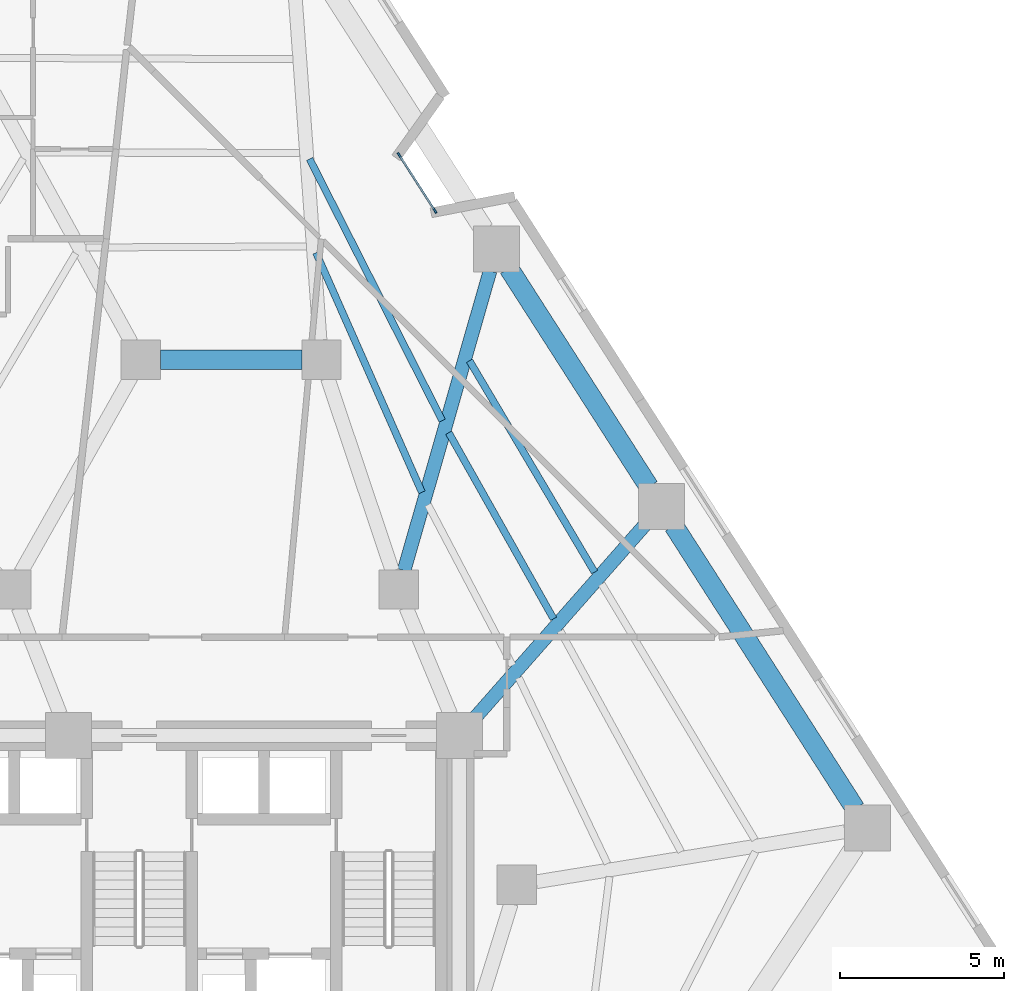
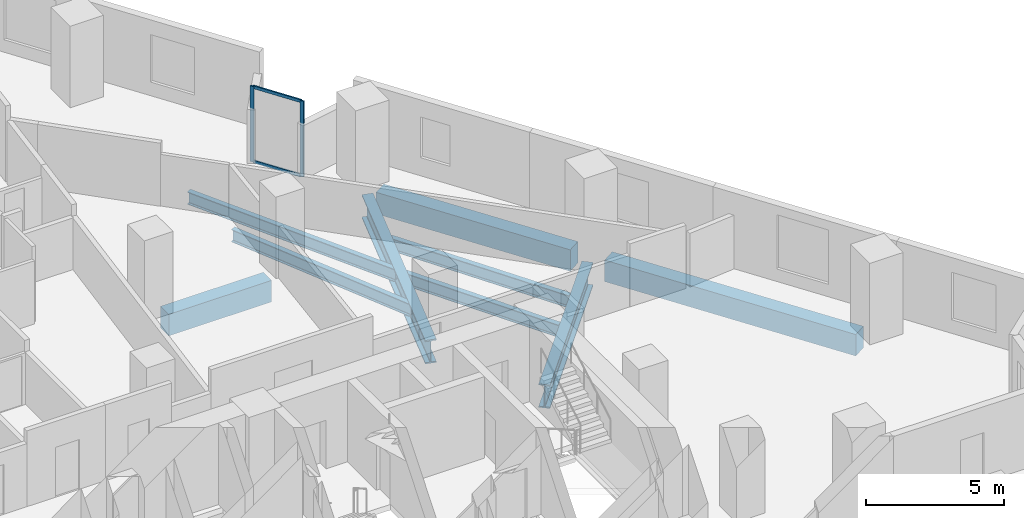
# One storey, part 4 of 13: 9 beams, 4 members, 1 element without a shape of its own.
"""IFC4 building model written with IfcOpenShell, lengths in metres."""

import ifcopenshell
import ifcopenshell.guid

model = None  # the IFC model being written
_history = None  # IfcOwnerHistory: only IFC2X3 demands one
_inside = {}  # id of a spatial element -> (the spatial element, [elements in it])
_under = {}  # id of a project, library or spatial element -> (it, [spatial elements below it])
_declared = {}  # id of a project -> (the project, [libraries it declares])
_typed = {}  # id of a type object -> (the type object, [elements of that type])
_made_of = {}  # id of a material, layer set ... -> (it, [elements and type objects made of it])


def new_model(schema):
    """Start an empty IFC model of exactly this schema.

    Asked for "IFC4X3", IfcOpenShell would pick the latest addendum, in which some entities
    have other attributes; the version numbers below select the first issue.
    IFC2X3 requires an IfcOwnerHistory on every rooted entity: one is made here for all.
    """
    global model, _history
    if schema == "IFC4X3":
        model = ifcopenshell.file(schema_version=(4, 3, 0, 0))
    else:
        model = ifcopenshell.file(schema=schema)
    _inside.clear()
    _under.clear()
    _declared.clear()
    _typed.clear()
    _made_of.clear()
    _history = None
    if model.schema == "IFC2X3":
        org = make("IfcOrganization", Name="unknown")
        user = make(
            "IfcPersonAndOrganization",
            ThePerson=make("IfcPerson", FamilyName="unknown"),
            TheOrganization=org,
        )
        app = make(
            "IfcApplication",
            ApplicationDeveloper=org,
            Version="unknown",
            ApplicationFullName="unknown",
            ApplicationIdentifier="unknown",
        )
        _history = make(
            "IfcOwnerHistory",
            OwningUser=user,
            OwningApplication=app,
            ChangeAction="ADDED",
            CreationDate=0,
        )
    return model


def make(cls, **values):
    """One entity of the class cls with the attributes given. An attribute that is None is left unset."""
    return model.create_entity(
        cls, **{name: value for name, value in values.items() if value is not None}
    )


def rooted(cls, **values):
    """An entity with a GlobalId (a new one), such as an element, a storey or a relation."""
    return make(cls, GlobalId=ifcopenshell.guid.new(), OwnerHistory=_history, **values)


def si_unit(unit_type, name, prefix=None):
    """IfcSIUnit, for example si_unit("LENGTHUNIT", "METRE", prefix="MILLI")."""
    return make("IfcSIUnit", UnitType=unit_type, Prefix=prefix, Name=name)


def assignment(units):
    """IfcUnitAssignment: the units of a project."""
    return None if units is None else make("IfcUnitAssignment", Units=units)


def point(xyz):
    """IfcCartesianPoint."""
    return None if xyz is None else make("IfcCartesianPoint", Coordinates=xyz)


def direction(xyz):
    """IfcDirection."""
    return None if xyz is None else make("IfcDirection", DirectionRatios=xyz)


def frame(location, z_axis=None, x_axis=None):
    """IfcAxis2Placement3D, a coordinate frame: its origin and axes. An axis left out is left unset."""
    return make(
        "IfcAxis2Placement3D",
        Location=point(location),
        Axis=direction(z_axis),
        RefDirection=direction(x_axis),
    )


def frame_2d(location, x_axis=None):
    """IfcAxis2Placement2D, a coordinate frame in the plane: its origin and x axis."""
    return make(
        "IfcAxis2Placement2D", Location=point(location), RefDirection=direction(x_axis)
    )


def origin():
    """The frame at (0, 0, 0) with its axes left unset."""
    return frame((0.0, 0.0, 0.0))


def origin_2d():
    """The frame at (0, 0) in the plane with its x axis left unset."""
    return frame_2d((0.0, 0.0))


def place(relative_to, where):
    """IfcLocalPlacement: puts the frame where relative to a parent placement (None: the world)."""
    return make(
        "IfcLocalPlacement", PlacementRelTo=relative_to, RelativePlacement=where
    )


def context(
    kind, dimensions, precision=None, world=None, true_north=None, identifier=None
):
    """IfcGeometricRepresentationContext, for example the 3D "Model" context."""
    return make(
        "IfcGeometricRepresentationContext",
        ContextIdentifier=identifier,
        ContextType=kind,
        CoordinateSpaceDimension=dimensions,
        Precision=precision,
        WorldCoordinateSystem=world,
        TrueNorth=true_north,
    )


def subcontext(parent, identifier, kind, view, scale=None):
    """IfcGeometricRepresentationSubContext, for example "Body" below "Model"."""
    return make(
        "IfcGeometricRepresentationSubContext",
        ContextIdentifier=identifier,
        ContextType=kind,
        ParentContext=parent,
        TargetScale=scale,
        TargetView=view,
    )


def project(units=None, contexts=None):
    """IfcProject with its units and contexts."""
    return rooted(
        "IfcProject",
        Name="project",
        RepresentationContexts=contexts,
        UnitsInContext=assignment(units),
    )


def spatial(cls, under=None, at=None, **own):
    """A site, building, storey or space (cls), placed at a placement, below another one or the project."""
    s = rooted(cls, ObjectPlacement=at, **own)
    if under is not None:
        _under.setdefault(under.id(), (under, []))[1].append(s)
    return s


def profile(cls, at=None, kind="AREA", **sizes):
    """A parametric profile (cls). Its sizes go by their IFC names, for example OverallWidth=200.0."""
    return make(cls, ProfileType=kind, Position=at, **sizes)


def rectangle(**sizes):
    """IfcRectangleProfileDef."""
    return profile("IfcRectangleProfileDef", **sizes)


def i_section(**sizes):
    """IfcIShapeProfileDef."""
    return profile("IfcIShapeProfileDef", **sizes)


def extrude(swept, where, along, depth):
    """IfcExtrudedAreaSolid: the profile swept, set in the frame where, extruded along a direction by depth."""
    return make(
        "IfcExtrudedAreaSolid",
        SweptArea=swept,
        Position=where,
        ExtrudedDirection=direction(along),
        Depth=depth,
    )


def shape(context_of_items, identifier, shape_type, items):
    """IfcShapeRepresentation: the items that make up one representation, for example the "Body"."""
    return make(
        "IfcShapeRepresentation",
        ContextOfItems=context_of_items,
        RepresentationIdentifier=identifier,
        RepresentationType=shape_type,
        Items=items,
    )


def material(Name=None, Category=None):
    """IfcMaterial."""
    return make("IfcMaterial", Name=Name, Category=Category)


def layer(
    of_material, thickness, ventilated=None, Name=None, Category=None, Priority=None
):
    """IfcMaterialLayer: one layer of a wall or slab, of a material (None: an air gap)."""
    return make(
        "IfcMaterialLayer",
        Material=of_material,
        LayerThickness=thickness,
        IsVentilated=ventilated,
        Name=Name,
        Category=Category,
        Priority=Priority,
    )


def layer_set(layers, Name=None):
    """IfcMaterialLayerSet."""
    return make("IfcMaterialLayerSet", MaterialLayers=layers, LayerSetName=Name)


def material_profile(
    of_material, cross_section, Name=None, Category=None, Priority=None
):
    """IfcMaterialProfile: a cross section and its material."""
    return make(
        "IfcMaterialProfile",
        Name=Name,
        Material=of_material,
        Profile=cross_section,
        Priority=Priority,
        Category=Category,
    )


def profile_set(profiles, Name=None, composite=None):
    """IfcMaterialProfileSet."""
    return make(
        "IfcMaterialProfileSet",
        Name=Name,
        MaterialProfiles=profiles,
        CompositeProfile=composite,
    )


def made_of(thing, what):
    """Note that an element or type object is made of a material, layer set ...; save() writes the relation."""
    if what is not None:
        _made_of.setdefault(what.id(), (what, []))[1].append(thing)
    return thing


def type_object(cls, material=None, **own):
    """A type object (cls), such as IfcWallType, which elements share."""
    return made_of(rooted(cls, **own), material)


def element(
    cls,
    number,
    at=None,
    inside=None,
    cuts=None,
    type_object=None,
    material=None,
    context=None,
    identifier="Body",
    shape_type=None,
    held_by="IfcProductDefinitionShape",
    body=None,
    shapes=None,
    **own,
):
    """One element of the class cls, such as IfcWall. Its Tag is "e" and its number.

    at: its placement. inside: the storey or other place that contains it. cuts: it is an
    opening in that element (IfcRelVoidsElement). A single representation is given by context,
    identifier, shape_type and body (its items); several are given by shapes. held_by: the class
    of the entity that holds the representations. save() writes the other relations.
    """
    e = rooted(cls, Tag="e%d" % number, ObjectPlacement=at, **own)
    if body is not None:
        shapes = [shape(context, identifier, shape_type, body)]
    if shapes is not None:
        e.Representation = make(held_by, Representations=shapes)
    if inside is not None:
        _inside.setdefault(inside.id(), (inside, []))[1].append(e)
    if cuts is not None:
        rooted(
            "IfcRelVoidsElement", RelatingBuildingElement=cuts, RelatedOpeningElement=e
        )
    if type_object is not None:
        _typed.setdefault(type_object.id(), (type_object, []))[1].append(e)
    return made_of(e, material)


def aggregate(whole, parts):
    """IfcRelAggregates: a whole, such as a stair, and the parts it consists of."""
    return rooted("IfcRelAggregates", RelatingObject=whole, RelatedObjects=parts)


def save(model, path):
    """Write the relations noted so far, then the file.

    IfcRelAggregates (storeys below a building ...), IfcRelContainedInSpatialStructure (elements
    in a storey), IfcRelDefinesByType, IfcRelAssociatesMaterial and IfcRelDeclares: one each for
    every whole, place, type object, material and project.
    """
    for whole, parts in _under.values():
        aggregate(whole, parts)
    for where, things in _inside.values():
        rooted(
            "IfcRelContainedInSpatialStructure",
            RelatedElements=things,
            RelatingStructure=where,
        )
    for kind, things in _typed.values():
        rooted("IfcRelDefinesByType", RelatedObjects=things, RelatingType=kind)
    for what, things in _made_of.values():
        rooted("IfcRelAssociatesMaterial", RelatedObjects=things, RelatingMaterial=what)
    for by, libraries in _declared.values():
        rooted("IfcRelDeclares", RelatingContext=by, RelatedDefinitions=libraries)
    model.write(path)


model = new_model("IFC4")

# Units and contexts
model_context = context("Model", 3, precision=1e-05, world=origin(), true_north=direction((0.0, 1.0)))
body_context = subcontext(model_context, "Body", "Model", "MODEL_VIEW")
ifc_project = project(units=[si_unit("LENGTHUNIT", "METRE"), si_unit("AREAUNIT", "SQUARE_METRE"), si_unit("VOLUMEUNIT", "CUBIC_METRE"), si_unit("PLANEANGLEUNIT", "RADIAN"), si_unit("MASSUNIT", "GRAM", prefix="KILO")], contexts=[model_context])

# Site, building, storey
site_placement = place(None, origin())
site = spatial("IfcSite", under=ifc_project, at=site_placement, CompositionType="ELEMENT")
building_placement = place(site_placement, origin())
building = spatial("IfcBuilding", under=site, at=building_placement, Name="Almagre Mirador Tower", CompositionType="ELEMENT")
storey_placement = place(building_placement, frame((0.0, 0.0, 42.60009765625)))
storey = spatial("IfcBuildingStorey", under=building, at=storey_placement, Name="L09", CompositionType="ELEMENT", Elevation=42.60009765625)

# Beams
ifc_material_1 = material(Name="Steel ASTM A992 Grade 50", Category="steel")
ifc_material_profile_1 = material_profile(ifc_material_1, i_section(OverallWidth=0.214111328125, OverallDepth=0.549072265625, WebThickness=0.0146484375, FlangeThickness=0.023681640625, FilletRadius=0.01806640625, at=origin_2d()), Name="W21X93")
ifc_profile_set_1 = profile_set([ifc_material_profile_1], Name="Steel ASTM A992 Grade 50")
beam_type_1 = type_object("IfcBeamType", Name="BM-JST-W21X93", PredefinedType="JOIST", material=ifc_profile_set_1)
beam_1_placement = place(storey_placement, frame((51.169189453125, 19.72705078125, -0.524658203125), z_axis=(-0.509385502228, 0.860538441977, 0.0), x_axis=(-0.860538441977, -0.509385502228, 0.0)))
element("IfcBeam", 1, at=beam_1_placement, inside=storey, type_object=beam_type_1, Name="L09 secondary floor joist PC06-PC07.1", PredefinedType="JOIST", context=body_context, shape_type="SweptSolid", body=[
    extrude(i_section(OverallWidth=0.214111328125, OverallDepth=0.549072265625, WebThickness=0.0146484375, FlangeThickness=0.023681640625, FilletRadius=0.01806640625, at=origin_2d()), origin(), (0.0, 0.0, 1.0), 7.481689453125),
])
beam_2_placement = place(storey_placement, frame((49.918701171875, 18.305419921875, -0.524658203125), z_axis=(-0.490831296071, 0.871254634879, 0.0), x_axis=(-0.871254634879, -0.490831296071, 0.0)))
element("IfcBeam", 2, at=beam_2_placement, inside=storey, type_object=beam_type_1, Name="L09 secondary floor joist PC06-PC07.2", PredefinedType="JOIST", context=body_context, shape_type="SweptSolid", body=[
    extrude(i_section(OverallWidth=0.214111328125, OverallDepth=0.549072265625, WebThickness=0.0146484375, FlangeThickness=0.023681640625, FilletRadius=0.01806640625, at=origin_2d()), origin(), (0.0, 0.0, 1.0), 6.505615234375),
])
beam_3_placement = place(storey_placement, frame((46.528076171875, 24.343017578125, -0.524658203125), z_axis=(-0.45203843344, 0.89199846115, 0.0), x_axis=(-0.89199846115, -0.45203843344, 0.0)))
element("IfcBeam", 3, at=beam_3_placement, inside=storey, type_object=beam_type_1, Name="L09 secondary floor joist PC07-PC08.2", PredefinedType="JOIST", context=body_context, shape_type="SweptSolid", body=[
    extrude(i_section(OverallWidth=0.214111328125, OverallDepth=0.549072265625, WebThickness=0.0146484375, FlangeThickness=0.023681640625, FilletRadius=0.01806640625, at=origin_2d()), origin(), (0.0, 0.0, 1.0), 8.93408203125),
])
beam_4_placement = place(storey_placement, frame((45.90966796875, 22.157958984375, -0.524658203125), z_axis=(-0.404053712835, 0.914735260687, 0.0), x_axis=(-0.914735260687, -0.404053712835, 0.0)))
element("IfcBeam", 4, at=beam_4_placement, inside=storey, type_object=beam_type_1, Name="L09 secondary floor joist PC07-PC08.3", PredefinedType="JOIST", context=body_context, shape_type="SweptSolid", body=[
    extrude(i_section(OverallWidth=0.214111328125, OverallDepth=0.549072265625, WebThickness=0.0146484375, FlangeThickness=0.023681640625, FilletRadius=0.01806640625, at=origin_2d()), origin(), (0.0, 0.0, 1.0), 7.9794921875),
])
ifc_material_2 = material(Name="Concrete C60/75", Category="concrete")
ifc_material_profile_2 = material_profile(ifc_material_2, rectangle(XDim=0.60009765625, YDim=0.949951171875, at=origin_2d()), Name="RC600X950")
ifc_profile_set_2 = profile_set([ifc_material_profile_2], Name="Concrete C60/75")
beam_type_2 = type_object("IfcBeamType", Name="BM-LIN-RC600X950", PredefinedType="LINTEL", material=ifc_profile_set_2)
beam_5_placement = place(storey_placement, frame((37.949951171875, 26.199951171875, -0.72509765625), z_axis=(1.0, 0.0, 0.0), x_axis=(0.0, 1.0, 0.0)))
element("IfcBeam", 5, at=beam_5_placement, inside=storey, type_object=beam_type_2, Name="L09 coupled header lintel LN-01", PredefinedType="LINTEL", context=body_context, shape_type="SweptSolid", body=[
    extrude(rectangle(XDim=0.60009765625, YDim=0.949951171875, at=origin_2d()), origin(), (0.0, 0.0, 1.0), 4.300048828125),
])
ifc_material_3 = material(Name="Precast concrete C50/60", Category="concrete")
ifc_material_profile_3 = material_profile(ifc_material_3, rectangle(XDim=0.60009765625, YDim=0.949951171875, at=origin_2d()), Name="RC600X950")
ifc_profile_set_3 = profile_set([ifc_material_profile_3], Name="Precast concrete C50/60")
beam_type_3 = type_object("IfcBeamType", Name="BM-SPN-RC600X950", PredefinedType="SPANDREL", material=ifc_profile_set_3)
beam_6_placement = place(storey_placement, frame((59.104248046875, 12.5224609375, -0.72509765625), z_axis=(-0.539549548581, 0.841953849463, 0.0), x_axis=(-0.841953849463, -0.539549548581, 0.0)))
element("IfcBeam", 6, at=beam_6_placement, inside=storey, type_object=beam_type_3, Name="L09 perimeter spandrel beam PC05-PC06", PredefinedType="SPANDREL", context=body_context, shape_type="SweptSolid", body=[
    extrude(rectangle(XDim=0.60009765625, YDim=0.949951171875, at=origin_2d()), origin(), (0.0, 0.0, 1.0), 10.239501953125),
])
beam_7_placement = place(storey_placement, frame((52.82421875, 22.322509765625, -0.72509765625), z_axis=(-0.539540486584, 0.841959656597, 0.0), x_axis=(-0.841959656597, -0.539540486584, 0.0)))
element("IfcBeam", 7, at=beam_7_placement, inside=storey, type_object=beam_type_3, Name="L09 perimeter spandrel beam PC06-PC07", PredefinedType="SPANDREL", context=body_context, shape_type="SweptSolid", body=[
    extrude(rectangle(XDim=0.60009765625, YDim=0.949951171875, at=origin_2d()), origin(), (0.0, 0.0, 1.0), 7.911376953125),
])
ifc_material_4 = material(Name="Steel ASTM A913 Grade 65", Category="steel")
ifc_material_profile_4 = material_profile(ifc_material_4, i_section(OverallWidth=0.4189453125, OverallDepth=1.041015625, WebThickness=0.031005859375, FlangeThickness=0.055908203125, FilletRadius=0.030029296875, at=origin_2d()), Name="W40X397")
ifc_profile_set_4 = profile_set([ifc_material_profile_4], Name="Steel ASTM A913 Grade 65")
beam_type_4 = type_object("IfcBeamType", Name="BM-STL-W40X397", PredefinedType="BEAM", material=ifc_profile_set_4)
beam_8_placement = place(storey_placement, frame((52.7392578125, 21.207763671875, -0.7705078125), z_axis=(-0.661045445009, -0.750345866673, 0.0), x_axis=(0.750345866673, -0.661045445009, 0.0)))
element("IfcBeam", 8, at=beam_8_placement, inside=storey, type_object=beam_type_4, Name="L09 radial floor girder PC06-CC6", PredefinedType="BEAM", context=body_context, shape_type="SweptSolid", body=[
    extrude(i_section(OverallWidth=0.4189453125, OverallDepth=1.041015625, WebThickness=0.031005859375, FlangeThickness=0.055908203125, FilletRadius=0.030029296875, at=origin_2d()), origin(), (0.0, 0.0, 1.0), 7.906494140625),
])
beam_9_placement = place(storey_placement, frame((47.98486328125, 28.900146484375, -0.7705078125), z_axis=(-0.275954024649, -0.961170836158, 0.0), x_axis=(0.961170836158, -0.275954024649, 0.0)))
element("IfcBeam", 9, at=beam_9_placement, inside=storey, type_object=beam_type_4, Name="L09 radial floor girder PC07-MC5", PredefinedType="BEAM", context=body_context, shape_type="SweptSolid", body=[
    extrude(i_section(OverallWidth=0.4189453125, OverallDepth=1.041015625, WebThickness=0.031005859375, FlangeThickness=0.055908203125, FilletRadius=0.030029296875, at=origin_2d()), origin(), (0.0, 0.0, 1.0), 9.4921875),
])

# Curtain wall, members
ifc_material_5 = material(Name="Black anodized aluminium", Category="aluminium")
ifc_layer = layer(ifc_material_5, 0.169921875)
ifc_layer_set = layer_set([ifc_layer], Name="Black anodized aluminium")
curtain_wall_type = type_object("IfcCurtainWallType", Name="CW-CRS-SYS", PredefinedType="NOTDEFINED", material=ifc_layer_set)
curtain_wall_placement = place(storey_placement, origin())
curtain_wall = element("IfcCurtainWall", 10, at=curtain_wall_placement, inside=storey, type_object=curtain_wall_type, Name="L09 vertical crease curtain wall 03", PredefinedType="NOTDEFINED")
ifc_material_6 = material(Name="Black anodized aluminium", Category="aluminium")
ifc_material_profile_5 = material_profile(ifc_material_6, rectangle(XDim=0.06005859375, YDim=0.14990234375, at=origin_2d()), Name="CWM60X150")
ifc_profile_set_5 = profile_set([ifc_material_profile_5], Name="Black anodized aluminium")
member_type_1 = type_object("IfcMemberType", Name="MBR-CWM60X150", PredefinedType="MULLION", material=ifc_profile_set_5)
member_1_placement = place(storey_placement, frame((45.216064453125, 32.433837890625, 0.0), z_axis=(0.0, 0.0, 1.0), x_axis=(0.842141027103, 0.539257350873, 0.0)))
member_1 = element("IfcMember", 11, at=member_1_placement, type_object=member_type_1, Name="CW-4 mullion 1", PredefinedType="MULLION", context=body_context, shape_type="SweptSolid", body=[
    extrude(rectangle(XDim=0.06005859375, YDim=0.14990234375, at=origin_2d()), origin(), (0.0, 0.0, 1.0), 3.349853515625),
])
member_2_placement = place(storey_placement, frame((46.310791015625, 30.724365234375, 0.0), z_axis=(0.0, 0.0, 1.0), x_axis=(0.842141027103, 0.539257350873, 0.0)))
member_2 = element("IfcMember", 12, at=member_2_placement, type_object=member_type_1, Name="CW-4 mullion 2", PredefinedType="MULLION", context=body_context, shape_type="SweptSolid", body=[
    extrude(rectangle(XDim=0.06005859375, YDim=0.14990234375, at=origin_2d()), origin(), (0.0, 0.0, 1.0), 3.349853515625),
])
ifc_material_7 = material(Name="Black anodized aluminium", Category="aluminium")
ifc_material_profile_6 = material_profile(ifc_material_7, rectangle(XDim=0.06005859375, YDim=0.1298828125, at=origin_2d()), Name="CWT60X130")
ifc_profile_set_6 = profile_set([ifc_material_profile_6], Name="Black anodized aluminium")
member_type_2 = type_object("IfcMemberType", Name="MBR-CWT60X130", PredefinedType="USERDEFINED", material=ifc_profile_set_6)
member_3_placement = place(storey_placement, frame((45.232421875, 32.408447265625, 0.02978515625), z_axis=(0.539247112967, -0.842147582765, 0.0), x_axis=(0.842147582765, 0.539247112967, 0.0)))
member_3 = element("IfcMember", 13, at=member_3_placement, type_object=member_type_2, Name="CW-4 transom 1.1", ObjectType="TRANSOM", PredefinedType="USERDEFINED", context=body_context, shape_type="SweptSolid", body=[
    extrude(rectangle(XDim=0.06005859375, YDim=0.1298828125, at=origin_2d()), origin(), (0.0, 0.0, 1.0), 1.969970703125),
])
member_4_placement = place(storey_placement, frame((45.232421875, 32.408447265625, 3.31982421875), z_axis=(0.539247112967, -0.842147582765, 0.0), x_axis=(0.842147582765, 0.539247112967, 0.0)))
member_4 = element("IfcMember", 14, at=member_4_placement, type_object=member_type_2, Name="CW-4 transom 1.2", ObjectType="TRANSOM", PredefinedType="USERDEFINED", context=body_context, shape_type="SweptSolid", body=[
    extrude(rectangle(XDim=0.06005859375, YDim=0.1298828125, at=origin_2d()), origin(), (0.0, 0.0, 1.0), 1.969970703125),
])
aggregate(curtain_wall, [member_1, member_2, member_3, member_4])

save(model, "model.ifc")
